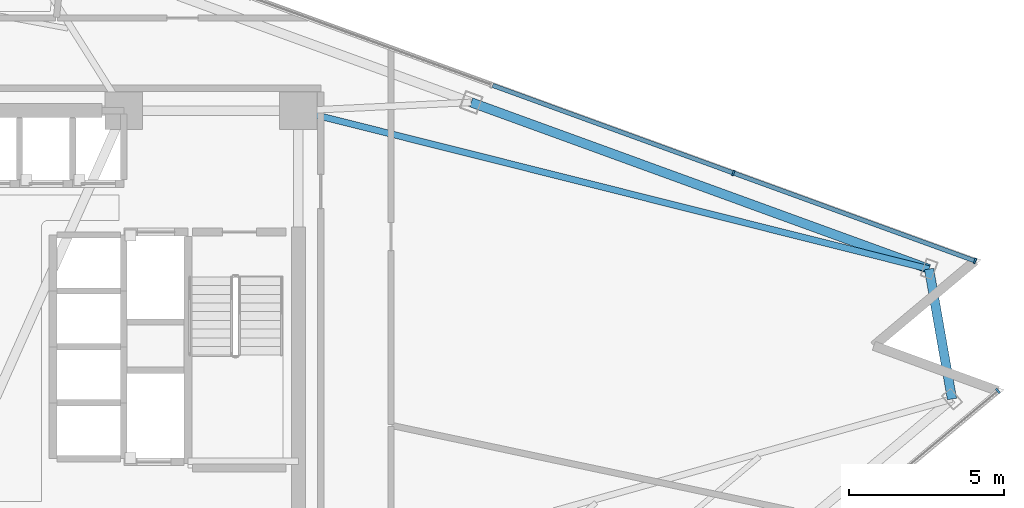
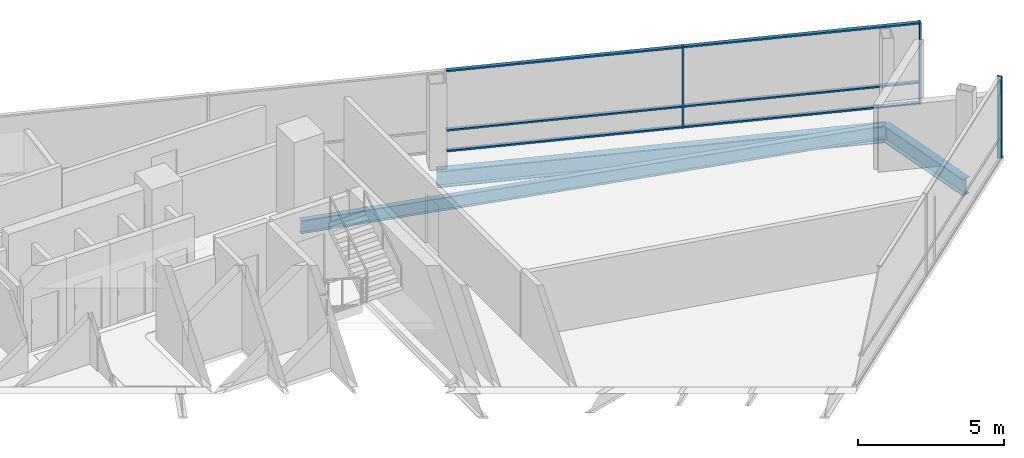
# One storey, part 8 of 16: 9 members, 3 beams, 2 elements without a shape of their own.
"""IFC4 building model written with IfcOpenShell, lengths in metres."""

from ifc_helpers import new_model, si_unit, direction, frame, origin, origin_2d, place, context, subcontext, project, spatial, rectangle, i_section, extrude, material, layer, layer_set, material_profile, profile_set, type_object, element, aggregate, save


model = new_model("IFC4")

# Units and contexts
model_context = context("Model", 3, precision=1e-05, world=origin(), true_north=direction((0.0, 1.0)))
body_context = subcontext(model_context, "Body", "Model", "MODEL_VIEW")
ifc_project = project(units=[si_unit("LENGTHUNIT", "METRE"), si_unit("AREAUNIT", "SQUARE_METRE"), si_unit("VOLUMEUNIT", "CUBIC_METRE"), si_unit("PLANEANGLEUNIT", "RADIAN"), si_unit("MASSUNIT", "GRAM", prefix="KILO")], contexts=[model_context])

# Site, building, storey
site_placement = place(None, origin())
site = spatial("IfcSite", under=ifc_project, at=site_placement, CompositionType="ELEMENT")
building_placement = place(site_placement, origin())
building = spatial("IfcBuilding", under=site, at=building_placement, Name="Tharavind Bronze Gate", CompositionType="ELEMENT")
storey_placement = place(building_placement, frame((0.0, 0.0, 181.300048828125)))
storey = spatial("IfcBuildingStorey", under=building, at=storey_placement, Name="L46", CompositionType="ELEMENT", Elevation=181.300048828125)

# Curtain wall, member
ifc_material_1 = material(Name="Anodised Bronze Aluminium", Category="aluminium")
ifc_layer = layer(ifc_material_1, 0.219970703125)
ifc_layer_set = layer_set([ifc_layer], Name="Anodised Bronze Aluminium")
curtain_wall_type = type_object("IfcCurtainWallType", Name="UNITISED CURTAIN WALL MID OFFICE", PredefinedType="USERDEFINED", material=ifc_layer_set)
curtain_wall_1_placement = place(storey_placement, origin())
curtain_wall_1 = element("IfcCurtainWall", 1, at=curtain_wall_1_placement, inside=storey, type_object=curtain_wall_type, Name="L46 unitised curtain wall mid office CW-L46-S2", ObjectType="UNITISED CURTAIN WALL", PredefinedType="USERDEFINED")
member_type_1 = type_object("IfcMemberType", Name="CURTAIN WALL BRONZE MULLION 65X180", PredefinedType="MULLION", material=ifc_material_1)
member_1_placement = place(storey_placement, frame((31.410888671875, -1.418212890625, 0.0), z_axis=(0.0, 0.0, 1.0), x_axis=(0.766043321242, 0.642788946685, 0.0)))
member_1 = element("IfcMember", 2, at=member_1_placement, type_object=member_type_1, Name="CW-L46-S2 mullion 8", PredefinedType="MULLION", context=body_context, shape_type="SweptSolid", body=[
    extrude(rectangle(XDim=0.06494140625, YDim=0.179931640625, at=origin_2d()), origin(), (0.0, 0.0, 1.0), 3.419921875),
])
aggregate(curtain_wall_1, [member_1])

# Curtain wall, members
curtain_wall_2_placement = place(storey_placement, origin())
curtain_wall_2 = element("IfcCurtainWall", 3, at=curtain_wall_2_placement, inside=storey, type_object=curtain_wall_type, Name="L46 unitised curtain wall mid office CW-L46-S3", ObjectType="UNITISED CURTAIN WALL", PredefinedType="USERDEFINED")
member_2_placement = place(storey_placement, frame((30.67333984375, 2.765380859375, 0.0), z_axis=(0.0, 0.0, 1.0), x_axis=(-0.939692023847, 0.342021783398, 0.0)))
member_2 = element("IfcMember", 4, at=member_2_placement, type_object=member_type_1, Name="CW-L46-S3 mullion 1", PredefinedType="MULLION", context=body_context, shape_type="SweptSolid", body=[
    extrude(rectangle(XDim=0.06494140625, YDim=0.179931640625, at=origin_2d()), origin(), (0.0, 0.0, 1.0), 3.419921875),
])
member_3_placement = place(storey_placement, frame((22.89892578125, 5.594970703125, 0.0), z_axis=(0.0, 0.0, 1.0), x_axis=(-0.939692023847, 0.342021783398, 0.0)))
member_3 = element("IfcMember", 5, at=member_3_placement, type_object=member_type_1, Name="CW-L46-S3 mullion 2", PredefinedType="MULLION", context=body_context, shape_type="SweptSolid", body=[
    extrude(rectangle(XDim=0.06494140625, YDim=0.179931640625, at=origin_2d()), origin(), (0.0, 0.0, 1.0), 3.419921875),
])
member_type_2 = type_object("IfcMemberType", Name="CURTAIN WALL BRONZE TRANSOM 65X140", PredefinedType="USERDEFINED", material=ifc_material_1)
member_4_placement = place(storey_placement, frame((26.7861328125, 4.18017578125, 0.0), z_axis=(0.0, 0.0, 1.0), x_axis=(-0.939692023847, 0.342021783398, 0.0)))
member_4 = element("IfcMember", 6, at=member_4_placement, type_object=member_type_2, Name="CW-L46-S3 transom TB1", ObjectType="TRANSOM", PredefinedType="USERDEFINED", context=body_context, shape_type="SweptSolid", body=[
    extrude(rectangle(XDim=8.220458984375, YDim=0.139892578125, at=origin_2d()), origin(), (0.0, 0.0, 1.0), 0.06494140625),
])
member_5_placement = place(storey_placement, frame((26.7861328125, 4.18017578125, 0.867431640625), z_axis=(0.0, 0.0, 1.0), x_axis=(-0.939692023847, 0.342021783398, 0.0)))
member_5 = element("IfcMember", 7, at=member_5_placement, type_object=member_type_2, Name="CW-L46-S3 transom TS1", ObjectType="TRANSOM", PredefinedType="USERDEFINED", context=body_context, shape_type="SweptSolid", body=[
    extrude(rectangle(XDim=8.220458984375, YDim=0.139892578125, at=origin_2d()), origin(), (0.0, 0.0, 1.0), 0.06494140625),
])
member_6_placement = place(storey_placement, frame((26.7861328125, 4.18017578125, 3.35498046875), z_axis=(0.0, 0.0, 1.0), x_axis=(-0.939692023847, 0.342021783398, 0.0)))
member_6 = element("IfcMember", 8, at=member_6_placement, type_object=member_type_2, Name="CW-L46-S3 transom TT1", ObjectType="TRANSOM", PredefinedType="USERDEFINED", context=body_context, shape_type="SweptSolid", body=[
    extrude(rectangle(XDim=8.220458984375, YDim=0.139892578125, at=origin_2d()), origin(), (0.0, 0.0, 1.0), 0.06494140625),
])
member_7_placement = place(storey_placement, frame((19.01171875, 7.009765625, 0.0), z_axis=(0.0, 0.0, 1.0), x_axis=(-0.939692023847, 0.342021783398, 0.0)))
member_7 = element("IfcMember", 9, at=member_7_placement, type_object=member_type_2, Name="CW-L46-S3 transom TB2", ObjectType="TRANSOM", PredefinedType="USERDEFINED", context=body_context, shape_type="SweptSolid", body=[
    extrude(rectangle(XDim=8.220458984375, YDim=0.139892578125, at=origin_2d()), origin(), (0.0, 0.0, 1.0), 0.06494140625),
])
member_8_placement = place(storey_placement, frame((19.01171875, 7.009765625, 0.867431640625), z_axis=(0.0, 0.0, 1.0), x_axis=(-0.939692023847, 0.342021783398, 0.0)))
member_8 = element("IfcMember", 10, at=member_8_placement, type_object=member_type_2, Name="CW-L46-S3 transom TS2", ObjectType="TRANSOM", PredefinedType="USERDEFINED", context=body_context, shape_type="SweptSolid", body=[
    extrude(rectangle(XDim=8.220458984375, YDim=0.139892578125, at=origin_2d()), origin(), (0.0, 0.0, 1.0), 0.06494140625),
])
member_9_placement = place(storey_placement, frame((19.01171875, 7.009765625, 3.35498046875), z_axis=(0.0, 0.0, 1.0), x_axis=(-0.939692023847, 0.342021783398, 0.0)))
member_9 = element("IfcMember", 11, at=member_9_placement, type_object=member_type_2, Name="CW-L46-S3 transom TT2", ObjectType="TRANSOM", PredefinedType="USERDEFINED", context=body_context, shape_type="SweptSolid", body=[
    extrude(rectangle(XDim=8.220458984375, YDim=0.139892578125, at=origin_2d()), origin(), (0.0, 0.0, 1.0), 0.06494140625),
])
aggregate(curtain_wall_2, [member_2, member_3, member_4, member_5, member_6, member_7, member_8, member_9])

# Beams
ifc_material_2 = material(Name="Steel S355", Category="steel")
ifc_material_profile_1 = material_profile(ifc_material_2, i_section(OverallWidth=0.2099609375, OverallDepth=0.550048828125, WebThickness=0.010986328125, FlangeThickness=0.01708984375, at=origin_2d()), Name="IPE550")
ifc_profile_set_1 = profile_set([ifc_material_profile_1], Name="Steel S355")
beam_type_1 = type_object("IfcBeamType", Name="PRIMARY GIRDER IPE550", PredefinedType="USERDEFINED", material=ifc_profile_set_1)
beam_1_placement = place(storey_placement, frame((29.1962890625, 2.5048828125, -0.455078125), z_axis=(-0.969904582273, 0.243485320471, 0.0), x_axis=(-0.243485320471, -0.969904582273, 0.0)))
element("IfcBeam", 12, at=beam_1_placement, inside=storey, type_object=beam_type_1, Name="L46 primary girder ipe550 BM-L46-RAD09", ObjectType="GIRDER", PredefinedType="USERDEFINED", context=body_context, shape_type="SweptSolid", body=[
    extrude(i_section(OverallWidth=0.2099609375, OverallDepth=0.550048828125, WebThickness=0.010986328125, FlangeThickness=0.01708984375, at=origin_2d()), origin(), (0.0, 0.0, 1.0), 20.92626953125),
])
ifc_material_profile_2 = material_profile(ifc_material_2, i_section(OverallWidth=0.300048828125, OverallDepth=0.699951171875, WebThickness=0.01708984375, FlangeThickness=0.031982421875, at=origin_2d()), Name="HE700B")
ifc_profile_set_2 = profile_set([ifc_material_profile_2], Name="Steel S355")
beam_type_2 = type_object("IfcBeamType", Name="RING GIRDER HE700B", PredefinedType="USERDEFINED", material=ifc_profile_set_2)
beam_2_placement = place(storey_placement, frame((29.933837890625, -1.6787109375, -0.530029296875), z_axis=(-0.173618127207, 0.984813051246, 0.0), x_axis=(-0.984813051246, -0.173618127207, 0.0)))
element("IfcBeam", 13, at=beam_2_placement, inside=storey, type_object=beam_type_2, Name="L46 ring girder he700b BM-L46-PRG08", ObjectType="GIRDER", PredefinedType="USERDEFINED", context=body_context, shape_type="SweptSolid", body=[
    extrude(i_section(OverallWidth=0.300048828125, OverallDepth=0.699951171875, WebThickness=0.01708984375, FlangeThickness=0.031982421875, at=origin_2d()), origin(), (0.0, 0.0, 1.0), 4.248046875),
])
beam_3_placement = place(storey_placement, frame((29.1962890625, 2.5048828125, -0.530029296875), z_axis=(-0.939694739877, 0.342014321115, 0.0), x_axis=(-0.342014321115, -0.939694739877, 0.0)))
element("IfcBeam", 14, at=beam_3_placement, inside=storey, type_object=beam_type_2, Name="L46 ring girder he700b BM-L46-PRG09", ObjectType="GIRDER", PredefinedType="USERDEFINED", context=body_context, shape_type="SweptSolid", body=[
    extrude(i_section(OverallWidth=0.300048828125, OverallDepth=0.699951171875, WebThickness=0.01708984375, FlangeThickness=0.031982421875, at=origin_2d()), origin(), (0.0, 0.0, 1.0), 15.6806640625),
])

save(model, "model.ifc")
